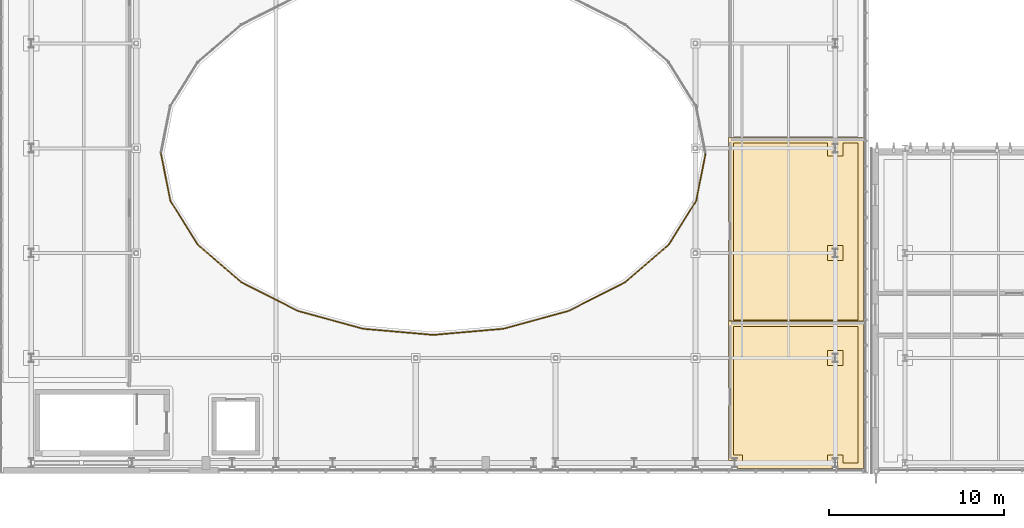
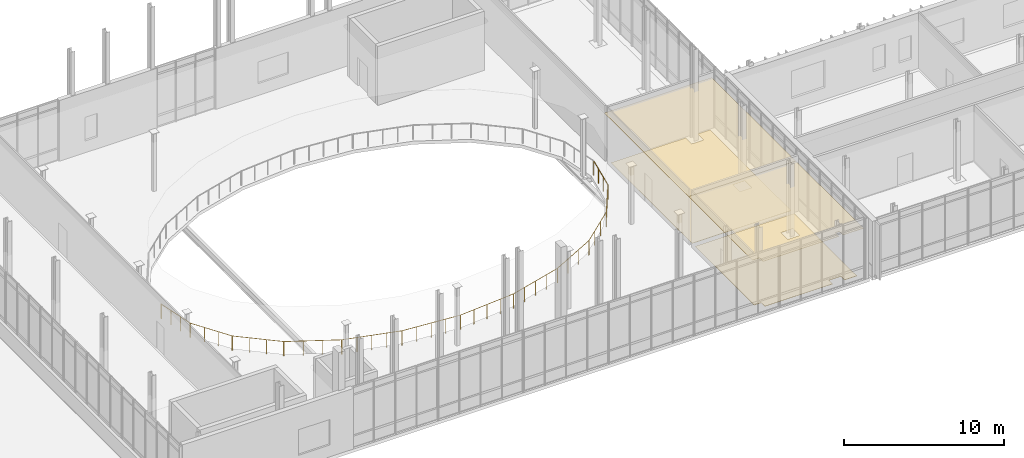
# One storey, part 76 of 86: 4 coverings, 1 railing.
"""IFC4 building model written with IfcOpenShell, lengths in metres."""

from ifc_helpers import new_model, si_unit, direction, frame, origin, origin_2d, place, context, subcontext, project, spatial, polyline, circle, outline, extrude, material, layer, layer_set, type_object, element, save


model = new_model("IFC4")

# Units and contexts
model_context = context("Model", 3, precision=1e-05, world=origin(), true_north=direction((0.0, 1.0)))
body_context = subcontext(model_context, "Body", "Model", "MODEL_VIEW")
ifc_project = project(units=[si_unit("LENGTHUNIT", "METRE"), si_unit("AREAUNIT", "SQUARE_METRE"), si_unit("VOLUMEUNIT", "CUBIC_METRE"), si_unit("PLANEANGLEUNIT", "RADIAN"), si_unit("MASSUNIT", "GRAM", prefix="KILO")], contexts=[model_context])

# Site, building, storey
site_placement = place(None, origin())
site = spatial("IfcSite", under=ifc_project, at=site_placement, CompositionType="ELEMENT")
building_placement = place(site_placement, origin())
building = spatial("IfcBuilding", under=site, at=building_placement, Name="Cymarion Research Institute", CompositionType="ELEMENT")
storey_placement = place(building_placement, frame((0.0, 0.0, 13.800048828125)))
storey = spatial("IfcBuildingStorey", under=building, at=storey_placement, Name="L03", CompositionType="ELEMENT", Elevation=13.800048828125)

# Coverings
ifc_material_1 = material(Name="Micro-perforated mineral acoustic ceiling tile", Category="gypsum")
ifc_layer_1 = layer(ifc_material_1, 0.030029296875)
ifc_layer_set_1 = layer_set([ifc_layer_1], Name="Micro-perforated mineral acoustic ceiling tile")
covering_type_1 = type_object("IfcCoveringType", Name="ACOUSTIC MICRO-PERFORATED SUSPENDED CEILING CLG-01", PredefinedType="CEILING", material=ifc_layer_set_1)
covering_1_placement = place(storey_placement, frame((0.0, 0.0, 3.699951171875)))
element("IfcCovering", 1, at=covering_1_placement, inside=storey, type_object=covering_type_1, Name="L03 L03 Accessible WC and Public Washrooms acoustic ceiling", PredefinedType="CEILING", context=body_context, shape_type="SweptSolid", body=[
    extrude(outline(polyline([(104.215087890625, 13.614990234375), (104.215087890625, 5.18505859375), (102.735107421875, 5.18505859375), (102.735107421875, 5.635009765625), (102.465087890625, 5.635009765625), (102.465087890625, 5.18505859375), (96.985107421875, 5.18505859375), (96.985107421875, 5.635009765625), (96.485107421875, 5.635009765625), (96.485107421875, 13.614990234375), (104.215087890625, 13.614990234375)])), origin(), (0.0, 0.0, 1.0), 0.030029296875),
])
covering_2_placement = place(storey_placement, frame((0.0, 0.0, 3.699951171875)))
element("IfcCovering", 2, at=covering_2_placement, inside=storey, type_object=covering_type_1, Name="L03 L03 Colloquium Breakout & Poster Room acoustic ceiling", PredefinedType="CEILING", context=body_context, shape_type="SweptSolid", body=[
    extrude(outline(polyline([(104.215087890625, 24.114990234375), (104.215087890625, 13.385009765625), (96.485107421875, 13.385009765625), (96.485107421875, 24.114990234375), (104.215087890625, 24.114990234375)])), origin(), (0.0, 0.0, 1.0), 0.030029296875),
])

# Railing
ifc_material_2 = material(Name="Steel S355", Category="steel")
railing_type = type_object("IfcRailingType", Name="LAMINATED GLASS AND STEEL BALUSTRADE BAL1 1120MM", PredefinedType="BALUSTRADE", material=ifc_material_2)
railing_placement = place(storey_placement, frame((95.176513671875, 23.164794921875, 0.0)))
element("IfcRailing", 3, at=railing_placement, inside=storey, type_object=railing_type, Name="L03 V2 Interaction Atrium curved gallery balustrade 1", PredefinedType="BALUSTRADE", context=body_context, shape_type="SweptSolid", body=[
    extrude(circle(Radius=0.02392578125, at=origin_2d()), frame((0.0, 0.0, 1.09619140625), z_axis=(-0.194929820286, -0.980817192531, 0.0), x_axis=(0.980817192531, -0.194929820286, 0.0)), (0.0, 0.0, 1.0), 2.69140625),
    extrude(circle(Radius=0.02392578125, at=origin_2d()), frame((-0.524658203125, -2.639892578125, 1.09619140625), z_axis=(-0.239019047122, -0.971014878935, 0.0), x_axis=(0.971014878935, -0.239019047122, 0.0)), (0.0, 0.0, 1.0), 0.016357421875),
    extrude(circle(Radius=0.02392578125, at=origin_2d()), frame((-0.528564453125, -2.65576171875, 1.09619140625), z_axis=(-0.329682832837, -0.944091748578, 0.0), x_axis=(0.944091748578, -0.329682832837, 0.0)), (0.0, 0.0, 1.0), 0.016357421875),
    extrude(circle(Radius=0.02392578125, at=origin_2d()), frame((-0.533935546875, -2.671142578125, 1.09619140625), z_axis=(-0.404747112058, -0.914428660575, 0.0), x_axis=(0.914428660575, -0.404747112058, 0.0)), (0.0, 0.0, 1.0), 0.016357421875),
    extrude(circle(Radius=0.02392578125, at=origin_2d()), frame((-0.54052734375, -2.68603515625, 1.09619140625), z_axis=(-0.494524249255, -0.869163832024, 0.0), x_axis=(0.869163832024, -0.494524249255, 0.0)), (0.0, 0.0, 1.0), 0.016357421875),
    extrude(circle(Radius=0.02392578125, at=origin_2d()), frame((-0.548583984375, -2.7001953125, 1.09619140625), z_axis=(-0.530271196681, -0.847828082792, 0.0), x_axis=(0.847828082792, -0.530271196681, 0.0)), (0.0, 0.0, 1.0), 2.9013671875),
    extrude(circle(Radius=0.02392578125, at=origin_2d()), frame((-2.087158203125, -5.16015625, 1.09619140625), z_axis=(-0.567101732998, -0.823647755069, 0.0), x_axis=(0.823647755069, -0.567101732998, 0.0)), (0.0, 0.0, 1.0), 0.01806640625),
    extrude(circle(Radius=0.02392578125, at=origin_2d()), frame((-2.097412109375, -5.175048828125, 1.09619140625), z_axis=(-0.657534246575, -0.753424657534, 0.0), x_axis=(0.753424657534, -0.657534246575, 0.0)), (0.0, 0.0, 1.0), 0.017822265625),
    extrude(circle(Radius=0.02392578125, at=origin_2d()), frame((-2.109130859375, -5.1884765625, 1.09619140625), z_axis=(-0.713808759938, -0.700340670128, 0.0), x_axis=(0.700340670128, -0.713808759938, 0.0)), (0.0, 0.0, 1.0), 0.01806640625),
    extrude(circle(Radius=0.02392578125, at=origin_2d()), frame((-2.1220703125, -5.201171875, 1.09619140625), z_axis=(-0.757045400279, -0.653362274635, 0.0), x_axis=(0.653362274635, -0.757045400279, 0.0)), (0.0, 0.0, 1.0), 3.23291015625),
    extrude(circle(Radius=0.02392578125, at=origin_2d()), frame((-4.569580078125, -7.3134765625, 1.09619140625), z_axis=(-0.790549812284, -0.61239774191, 0.0), x_axis=(0.61239774191, -0.790549812284, 0.0)), (0.0, 0.0, 1.0), 0.02197265625),
    extrude(circle(Radius=0.02392578125, at=origin_2d()), frame((-4.5869140625, -7.326904296875, 1.09619140625), z_axis=(-0.860475389039, -0.509492006668, 0.0), x_axis=(0.509492006668, -0.860475389039, 0.0)), (0.0, 0.0, 1.0), 0.021484375),
    extrude(circle(Radius=0.02392578125, at=origin_2d()), frame((-4.60546875, -7.337890625, 1.09619140625), z_axis=(-0.891487444131, -0.453045402755, 0.0), x_axis=(0.453045402755, -0.891487444131, 0.0)), (0.0, 0.0, 1.0), 3.57763671875),
    extrude(circle(Radius=0.02392578125, at=origin_2d()), frame((-7.794921875, -8.958740234375, 1.09619140625), z_axis=(-0.90990766598, -0.414810847726, 0.0), x_axis=(0.414810847726, -0.90990766598, 0.0)), (0.0, 0.0, 1.0), 0.018310546875),
    extrude(circle(Radius=0.02392578125, at=origin_2d()), frame((-7.8115234375, -8.96630859375, 1.09619140625), z_axis=(-0.951329033501, -0.308177010852, 0.0), x_axis=(0.308177010852, -0.951329033501, 0.0)), (0.0, 0.0, 1.0), 0.018310546875),
    extrude(circle(Radius=0.02392578125, at=origin_2d()), frame((-7.828857421875, -8.971923828125, 1.09619140625), z_axis=(-0.964381016388, -0.264517022571, 0.0), x_axis=(0.264517022571, -0.964381016388, 0.0)), (0.0, 0.0, 1.0), 3.8515625),
    extrude(circle(Radius=0.02392578125, at=origin_2d()), frame((-11.543212890625, -9.99072265625, 1.09619140625), z_axis=(-0.973616310568, -0.228191322789, 0.0), x_axis=(0.228191322789, -0.973616310568, 0.0)), (0.0, 0.0, 1.0), 0.01611328125),
    extrude(circle(Radius=0.02392578125, at=origin_2d()), frame((-11.558837890625, -9.994384765625, 1.09619140625), z_axis=(-0.991098234869, -0.133132598714, 0.0), x_axis=(0.133132598714, -0.991098234869, 0.0)), (0.0, 0.0, 1.0), 0.0166015625),
    extrude(circle(Radius=0.02392578125, at=origin_2d()), frame((-11.5751953125, -9.99658203125, 1.09619140625), z_axis=(-0.996222936835, -0.086832367948, 0.0), x_axis=(0.086832367948, -0.996222936835, 0.0)), (0.0, 0.0, 1.0), 4.0009765625),
    extrude(circle(Radius=0.02392578125, at=origin_2d()), frame((-15.56103515625, -10.343994140625, 1.09619140625), z_axis=(-0.998868137724, -0.047565149415, 0.0), x_axis=(0.047565149415, -0.998868137724, 0.0)), (0.0, 0.0, 1.0), 0.015380859375),
    extrude(circle(Radius=0.02392578125, at=origin_2d()), frame((-15.576416015625, -10.3447265625, 1.09619140625), z_axis=(-0.99890317437, 0.046823586299, 0.0), x_axis=(-0.046823586299, -0.99890317437, 0.0)), (0.0, 0.0, 1.0), 0.015625),
    extrude(circle(Radius=0.02392578125, at=origin_2d()), frame((-15.592041015625, -10.343994140625, 1.09619140625), z_axis=(-0.996222936835, 0.086832367948, 0.0), x_axis=(-0.086832367948, -0.996222936835, 0.0)), (0.0, 0.0, 1.0), 4.0009765625),
    extrude(circle(Radius=0.02392578125, at=origin_2d()), frame((-19.577880859375, -9.99658203125, 1.09619140625), z_axis=(-0.990830168044, 0.135113204733, 0.0), x_axis=(-0.135113204733, -0.990830168044, 0.0)), (0.0, 0.0, 1.0), 0.016357421875),
    extrude(circle(Radius=0.02392578125, at=origin_2d()), frame((-19.593994140625, -9.994384765625, 1.09619140625), z_axis=(-0.974391195695, 0.224859506699, 0.0), x_axis=(-0.224859506699, -0.974391195695, 0.0)), (0.0, 0.0, 1.0), 0.016357421875),
    extrude(circle(Radius=0.02392578125, at=origin_2d()), frame((-19.60986328125, -9.99072265625, 1.09619140625), z_axis=(-0.964381016388, 0.264517022571, 0.0), x_axis=(-0.264517022571, -0.964381016388, 0.0)), (0.0, 0.0, 1.0), 3.8515625),
    extrude(circle(Radius=0.02392578125, at=origin_2d()), frame((-23.32421875, -8.971923828125, 1.09619140625), z_axis=(-0.95003174904, 0.31215328897, 0.0), x_axis=(-0.31215328897, -0.95003174904, 0.0)), (0.0, 0.0, 1.0), 0.01806640625),
    extrude(circle(Radius=0.02392578125, at=origin_2d()), frame((-23.34130859375, -8.96630859375, 1.09619140625), z_axis=(-0.912168696111, 0.409814921441, 0.0), x_axis=(-0.409814921441, -0.912168696111, 0.0)), (0.0, 0.0, 1.0), 0.0185546875),
    extrude(circle(Radius=0.02392578125, at=origin_2d()), frame((-23.358154296875, -8.958740234375, 1.09619140625), z_axis=(-0.891487444131, 0.453045402755, 0.0), x_axis=(-0.453045402755, -0.891487444131, 0.0)), (0.0, 0.0, 1.0), 3.57763671875),
    extrude(circle(Radius=0.02392578125, at=origin_2d()), frame((-26.547607421875, -7.337890625, 1.09619140625), z_axis=(-0.860475389039, 0.509492006668, 0.0), x_axis=(-0.509492006668, -0.860475389039, 0.0)), (0.0, 0.0, 1.0), 0.021484375),
    extrude(circle(Radius=0.02392578125, at=origin_2d()), frame((-26.566162109375, -7.326904296875, 1.09619140625), z_axis=(-0.790549812284, 0.61239774191, 0.0), x_axis=(-0.61239774191, -0.790549812284, 0.0)), (0.0, 0.0, 1.0), 0.02197265625),
    extrude(circle(Radius=0.02392578125, at=origin_2d()), frame((-26.58349609375, -7.3134765625, 1.09619140625), z_axis=(-0.757045400279, 0.653362274635, 0.0), x_axis=(-0.653362274635, -0.757045400279, 0.0)), (0.0, 0.0, 1.0), 3.23291015625),
    extrude(circle(Radius=0.02392578125, at=origin_2d()), frame((-29.031005859375, -5.201171875, 1.09619140625), z_axis=(-0.713808759938, 0.700340670128, 0.0), x_axis=(-0.700340670128, -0.713808759938, 0.0)), (0.0, 0.0, 1.0), 0.01806640625),
    extrude(circle(Radius=0.02392578125, at=origin_2d()), frame((-29.0439453125, -5.1884765625, 1.09619140625), z_axis=(-0.657534246575, 0.753424657534, 0.0), x_axis=(-0.753424657534, -0.657534246575, 0.0)), (0.0, 0.0, 1.0), 0.017822265625),
    extrude(circle(Radius=0.02392578125, at=origin_2d()), frame((-29.0556640625, -5.175048828125, 1.09619140625), z_axis=(-0.567101732998, 0.823647755069, 0.0), x_axis=(-0.823647755069, -0.567101732998, 0.0)), (0.0, 0.0, 1.0), 0.01806640625),
    extrude(circle(Radius=0.02392578125, at=origin_2d()), frame((-29.06591796875, -5.16015625, 1.09619140625), z_axis=(-0.530271196681, 0.847828082792, 0.0), x_axis=(-0.847828082792, -0.530271196681, 0.0)), (0.0, 0.0, 1.0), 2.9013671875),
    extrude(circle(Radius=0.02392578125, at=origin_2d()), frame((-30.6044921875, -2.7001953125, 1.09619140625), z_axis=(-0.483077342911, 0.875577684027, 0.0), x_axis=(-0.875577684027, -0.483077342911, 0.0)), (0.0, 0.0, 1.0), 0.01611328125),
    extrude(circle(Radius=0.02392578125, at=origin_2d()), frame((-30.6123046875, -2.68603515625, 1.09619140625), z_axis=(-0.417167660331, 0.90882954572, 0.0), x_axis=(-0.90882954572, -0.417167660331, 0.0)), (0.0, 0.0, 1.0), 0.016357421875),
    extrude(circle(Radius=0.02392578125, at=origin_2d()), frame((-30.619140625, -2.671142578125, 1.09619140625), z_axis=(-0.329682832837, 0.944091748578, 0.0), x_axis=(-0.944091748578, -0.329682832837, 0.0)), (0.0, 0.0, 1.0), 0.016357421875),
    extrude(circle(Radius=0.02392578125, at=origin_2d()), frame((-30.62451171875, -2.65576171875, 1.09619140625), z_axis=(-0.239019047122, 0.971014878935, 0.0), x_axis=(-0.971014878935, -0.239019047122, 0.0)), (0.0, 0.0, 1.0), 0.016357421875),
    extrude(circle(Radius=0.02392578125, at=origin_2d()), frame((-30.62841796875, -2.639892578125, 1.09619140625), z_axis=(-0.194929820286, 0.980817192531, 0.0), x_axis=(-0.980817192531, -0.194929820286, 0.0)), (0.0, 0.0, 1.0), 2.69140625),
    extrude(circle(Radius=0.02392578125, at=origin_2d()), frame((-31.153076171875, 0.0, 1.09619140625), z_axis=(-0.137568371275, 0.990492273178, 0.0), x_axis=(-0.990492273178, -0.137568371275, 0.0)), (0.0, 0.0, 1.0), 0.017822265625),
    extrude(circle(Radius=0.02392578125, at=origin_2d()), frame((-31.155517578125, 0.017578125, 1.09619140625), z_axis=(-0.055470019623, 0.998460353205, 0.0), x_axis=(-0.998460353205, -0.055470019623, 0.0)), (0.0, 0.0, 1.0), 0.017578125),
    extrude(circle(Radius=0.02392578125, at=origin_2d()), frame((-31.156494140625, 0.03515625, 1.09619140625), z_axis=(0.055470019623, 0.998460353205, 0.0), x_axis=(-0.998460353205, 0.055470019623, 0.0)), (0.0, 0.0, 1.0), 0.017578125),
    extrude(circle(Radius=0.02392578125, at=origin_2d()), frame((-31.155517578125, 0.052734375, 1.09619140625), z_axis=(0.137568371275, 0.990492273178, 0.0), x_axis=(-0.990492273178, 0.137568371275, 0.0)), (0.0, 0.0, 1.0), 0.017822265625),
    extrude(circle(Radius=0.02099609375, at=origin_2d()), origin(), (0.0, 0.0, 1.0), 1.072021484375),
    extrude(circle(Radius=0.02099609375, at=origin_2d()), frame((-0.1748046875, -0.8798828125, 0.0)), (0.0, 0.0, 1.0), 1.072021484375),
    extrude(circle(Radius=0.02099609375, at=origin_2d()), frame((-0.349853515625, -1.760009765625, 0.0)), (0.0, 0.0, 1.0), 1.072021484375),
    extrude(circle(Radius=0.02099609375, at=origin_2d()), frame((-0.524658203125, -2.639892578125, 0.0)), (0.0, 0.0, 1.0), 1.072021484375),
    extrude(circle(Radius=0.02099609375, at=origin_2d()), frame((-0.528564453125, -2.65576171875, 0.0)), (0.0, 0.0, 1.0), 1.072021484375),
    extrude(circle(Radius=0.02099609375, at=origin_2d()), frame((-0.533935546875, -2.671142578125, 0.0)), (0.0, 0.0, 1.0), 1.072021484375),
    extrude(circle(Radius=0.02099609375, at=origin_2d()), frame((-0.54052734375, -2.68603515625, 0.0)), (0.0, 0.0, 1.0), 1.072021484375),
    extrude(circle(Radius=0.02099609375, at=origin_2d()), frame((-0.548583984375, -2.7001953125, 0.0)), (0.0, 0.0, 1.0), 1.072021484375),
    extrude(circle(Radius=0.02099609375, at=origin_2d()), frame((-1.0615234375, -3.520263671875, 0.0)), (0.0, 0.0, 1.0), 1.072021484375),
    extrude(circle(Radius=0.02099609375, at=origin_2d()), frame((-1.57421875, -4.340087890625, 0.0)), (0.0, 0.0, 1.0), 1.072021484375),
    extrude(circle(Radius=0.02099609375, at=origin_2d()), frame((-2.087158203125, -5.16015625, 0.0)), (0.0, 0.0, 1.0), 1.072021484375),
    extrude(circle(Radius=0.02099609375, at=origin_2d()), frame((-2.097412109375, -5.175048828125, 0.0)), (0.0, 0.0, 1.0), 1.072021484375),
    extrude(circle(Radius=0.02099609375, at=origin_2d()), frame((-2.109130859375, -5.1884765625, 0.0)), (0.0, 0.0, 1.0), 1.072021484375),
    extrude(circle(Radius=0.02099609375, at=origin_2d()), frame((-2.1220703125, -5.201171875, 0.0)), (0.0, 0.0, 1.0), 1.072021484375),
    extrude(circle(Radius=0.02099609375, at=origin_2d()), frame((-2.93798828125, -5.9052734375, 0.0)), (0.0, 0.0, 1.0), 1.072021484375),
    extrude(circle(Radius=0.02099609375, at=origin_2d()), frame((-3.753662109375, -6.609375, 0.0)), (0.0, 0.0, 1.0), 1.072021484375),
    extrude(circle(Radius=0.02099609375, at=origin_2d()), frame((-4.569580078125, -7.3134765625, 0.0)), (0.0, 0.0, 1.0), 1.072021484375),
    extrude(circle(Radius=0.02099609375, at=origin_2d()), frame((-4.5869140625, -7.326904296875, 0.0)), (0.0, 0.0, 1.0), 1.072021484375),
    extrude(circle(Radius=0.02099609375, at=origin_2d()), frame((-4.60546875, -7.337890625, 0.0)), (0.0, 0.0, 1.0), 1.072021484375),
    extrude(circle(Radius=0.02099609375, at=origin_2d()), frame((-5.668701171875, -7.878173828125, 0.0)), (0.0, 0.0, 1.0), 1.072021484375),
    extrude(circle(Radius=0.02099609375, at=origin_2d()), frame((-6.731689453125, -8.41845703125, 0.0)), (0.0, 0.0, 1.0), 1.072021484375),
    extrude(circle(Radius=0.02099609375, at=origin_2d()), frame((-7.794921875, -8.958740234375, 0.0)), (0.0, 0.0, 1.0), 1.072021484375),
    extrude(circle(Radius=0.02099609375, at=origin_2d()), frame((-7.8115234375, -8.96630859375, 0.0)), (0.0, 0.0, 1.0), 1.072021484375),
    extrude(circle(Radius=0.02099609375, at=origin_2d()), frame((-7.828857421875, -8.971923828125, 0.0)), (0.0, 0.0, 1.0), 1.072021484375),
    extrude(circle(Radius=0.02099609375, at=origin_2d()), frame((-8.75732421875, -9.2265625, 0.0)), (0.0, 0.0, 1.0), 1.072021484375),
    extrude(circle(Radius=0.02099609375, at=origin_2d()), frame((-9.68603515625, -9.4814453125, 0.0)), (0.0, 0.0, 1.0), 1.072021484375),
    extrude(circle(Radius=0.02099609375, at=origin_2d()), frame((-10.61474609375, -9.736083984375, 0.0)), (0.0, 0.0, 1.0), 1.072021484375),
    extrude(circle(Radius=0.02099609375, at=origin_2d()), frame((-11.543212890625, -9.99072265625, 0.0)), (0.0, 0.0, 1.0), 1.072021484375),
    extrude(circle(Radius=0.02099609375, at=origin_2d()), frame((-11.558837890625, -9.994384765625, 0.0)), (0.0, 0.0, 1.0), 1.072021484375),
    extrude(circle(Radius=0.02099609375, at=origin_2d()), frame((-11.5751953125, -9.99658203125, 0.0)), (0.0, 0.0, 1.0), 1.072021484375),
    extrude(circle(Radius=0.02099609375, at=origin_2d()), frame((-12.57177734375, -10.08349609375, 0.0)), (0.0, 0.0, 1.0), 1.072021484375),
    extrude(circle(Radius=0.02099609375, at=origin_2d()), frame((-13.568115234375, -10.17041015625, 0.0)), (0.0, 0.0, 1.0), 1.072021484375),
    extrude(circle(Radius=0.02099609375, at=origin_2d()), frame((-14.564453125, -10.257080078125, 0.0)), (0.0, 0.0, 1.0), 1.072021484375),
    extrude(circle(Radius=0.02099609375, at=origin_2d()), frame((-15.56103515625, -10.343994140625, 0.0)), (0.0, 0.0, 1.0), 1.072021484375),
    extrude(circle(Radius=0.02099609375, at=origin_2d()), frame((-15.576416015625, -10.3447265625, 0.0)), (0.0, 0.0, 1.0), 1.072021484375),
    extrude(circle(Radius=0.02099609375, at=origin_2d()), frame((-15.592041015625, -10.343994140625, 0.0)), (0.0, 0.0, 1.0), 1.072021484375),
    extrude(circle(Radius=0.02099609375, at=origin_2d()), frame((-16.58837890625, -10.257080078125, 0.0)), (0.0, 0.0, 1.0), 1.072021484375),
    extrude(circle(Radius=0.02099609375, at=origin_2d()), frame((-17.5849609375, -10.17041015625, 0.0)), (0.0, 0.0, 1.0), 1.072021484375),
    extrude(circle(Radius=0.02099609375, at=origin_2d()), frame((-18.58154296875, -10.08349609375, 0.0)), (0.0, 0.0, 1.0), 1.072021484375),
    extrude(circle(Radius=0.02099609375, at=origin_2d()), frame((-19.577880859375, -9.99658203125, 0.0)), (0.0, 0.0, 1.0), 1.072021484375),
    extrude(circle(Radius=0.02099609375, at=origin_2d()), frame((-19.593994140625, -9.994384765625, 0.0)), (0.0, 0.0, 1.0), 1.072021484375),
    extrude(circle(Radius=0.02099609375, at=origin_2d()), frame((-19.60986328125, -9.99072265625, 0.0)), (0.0, 0.0, 1.0), 1.072021484375),
    extrude(circle(Radius=0.02099609375, at=origin_2d()), frame((-20.53857421875, -9.736083984375, 0.0)), (0.0, 0.0, 1.0), 1.072021484375),
    extrude(circle(Radius=0.02099609375, at=origin_2d()), frame((-21.467041015625, -9.4814453125, 0.0)), (0.0, 0.0, 1.0), 1.072021484375),
    extrude(circle(Radius=0.02099609375, at=origin_2d()), frame((-22.3955078125, -9.2265625, 0.0)), (0.0, 0.0, 1.0), 1.072021484375),
    extrude(circle(Radius=0.02099609375, at=origin_2d()), frame((-23.32421875, -8.971923828125, 0.0)), (0.0, 0.0, 1.0), 1.072021484375),
    extrude(circle(Radius=0.02099609375, at=origin_2d()), frame((-23.34130859375, -8.96630859375, 0.0)), (0.0, 0.0, 1.0), 1.072021484375),
    extrude(circle(Radius=0.02099609375, at=origin_2d()), frame((-23.358154296875, -8.958740234375, 0.0)), (0.0, 0.0, 1.0), 1.072021484375),
    extrude(circle(Radius=0.02099609375, at=origin_2d()), frame((-24.42138671875, -8.41845703125, 0.0)), (0.0, 0.0, 1.0), 1.072021484375),
    extrude(circle(Radius=0.02099609375, at=origin_2d()), frame((-25.484375, -7.878173828125, 0.0)), (0.0, 0.0, 1.0), 1.072021484375),
    extrude(circle(Radius=0.02099609375, at=origin_2d()), frame((-26.547607421875, -7.337890625, 0.0)), (0.0, 0.0, 1.0), 1.072021484375),
    extrude(circle(Radius=0.02099609375, at=origin_2d()), frame((-26.566162109375, -7.326904296875, 0.0)), (0.0, 0.0, 1.0), 1.072021484375),
    extrude(circle(Radius=0.02099609375, at=origin_2d()), frame((-26.58349609375, -7.3134765625, 0.0)), (0.0, 0.0, 1.0), 1.072021484375),
    extrude(circle(Radius=0.02099609375, at=origin_2d()), frame((-27.3994140625, -6.609375, 0.0)), (0.0, 0.0, 1.0), 1.072021484375),
    extrude(circle(Radius=0.02099609375, at=origin_2d()), frame((-28.215087890625, -5.9052734375, 0.0)), (0.0, 0.0, 1.0), 1.072021484375),
    extrude(circle(Radius=0.02099609375, at=origin_2d()), frame((-29.031005859375, -5.201171875, 0.0)), (0.0, 0.0, 1.0), 1.072021484375),
    extrude(circle(Radius=0.02099609375, at=origin_2d()), frame((-29.0439453125, -5.1884765625, 0.0)), (0.0, 0.0, 1.0), 1.072021484375),
    extrude(circle(Radius=0.02099609375, at=origin_2d()), frame((-29.0556640625, -5.175048828125, 0.0)), (0.0, 0.0, 1.0), 1.072021484375),
    extrude(circle(Radius=0.02099609375, at=origin_2d()), frame((-29.06591796875, -5.16015625, 0.0)), (0.0, 0.0, 1.0), 1.072021484375),
    extrude(circle(Radius=0.02099609375, at=origin_2d()), frame((-29.578857421875, -4.340087890625, 0.0)), (0.0, 0.0, 1.0), 1.072021484375),
    extrude(circle(Radius=0.02099609375, at=origin_2d()), frame((-30.091552734375, -3.520263671875, 0.0)), (0.0, 0.0, 1.0), 1.072021484375),
    extrude(circle(Radius=0.02099609375, at=origin_2d()), frame((-30.6044921875, -2.7001953125, 0.0)), (0.0, 0.0, 1.0), 1.072021484375),
    extrude(circle(Radius=0.02099609375, at=origin_2d()), frame((-30.6123046875, -2.68603515625, 0.0)), (0.0, 0.0, 1.0), 1.072021484375),
    extrude(circle(Radius=0.02099609375, at=origin_2d()), frame((-30.619140625, -2.671142578125, 0.0)), (0.0, 0.0, 1.0), 1.072021484375),
    extrude(circle(Radius=0.02099609375, at=origin_2d()), frame((-30.62451171875, -2.65576171875, 0.0)), (0.0, 0.0, 1.0), 1.072021484375),
    extrude(circle(Radius=0.02099609375, at=origin_2d()), frame((-30.62841796875, -2.639892578125, 0.0)), (0.0, 0.0, 1.0), 1.072021484375),
    extrude(circle(Radius=0.02099609375, at=origin_2d()), frame((-30.80322265625, -1.760009765625, 0.0)), (0.0, 0.0, 1.0), 1.072021484375),
    extrude(circle(Radius=0.02099609375, at=origin_2d()), frame((-30.978271484375, -0.8798828125, 0.0)), (0.0, 0.0, 1.0), 1.072021484375),
    extrude(circle(Radius=0.02099609375, at=origin_2d()), frame((-31.153076171875, 0.0, 0.0)), (0.0, 0.0, 1.0), 1.072021484375),
    extrude(circle(Radius=0.02099609375, at=origin_2d()), frame((-31.155517578125, 0.017578125, 0.0)), (0.0, 0.0, 1.0), 1.072021484375),
    extrude(circle(Radius=0.02099609375, at=origin_2d()), frame((-31.156494140625, 0.03515625, 0.0)), (0.0, 0.0, 1.0), 1.072021484375),
    extrude(circle(Radius=0.02099609375, at=origin_2d()), frame((-31.155517578125, 0.052734375, 0.0)), (0.0, 0.0, 1.0), 1.072021484375),
    extrude(circle(Radius=0.02099609375, at=origin_2d()), frame((-31.153076171875, 0.0703125, 0.0)), (0.0, 0.0, 1.0), 1.072021484375),
])

# Coverings
ifc_material_3 = material(Name="Seamless dissipative epoxy resin flooring", Category="resin")
ifc_layer_2 = layer(ifc_material_3, 0.02001953125)
ifc_layer_set_2 = layer_set([ifc_layer_2], Name="Seamless dissipative epoxy resin flooring")
covering_type_2 = type_object("IfcCoveringType", Name="SEAMLESS ESD EPOXY LABORATORY FLOORING FLR-01", PredefinedType="FLOORING", material=ifc_layer_set_2)
covering_3_placement = place(storey_placement, origin())
element("IfcCovering", 4, at=covering_3_placement, inside=storey, type_object=covering_type_2, Name="L03 L03 Accessible WC and Public Washrooms ESD epoxy flooring", PredefinedType="FLOORING", context=body_context, shape_type="SweptSolid", body=[
    extrude(outline(polyline([(96.784912109375, 13.31494140625), (103.9150390625, 13.31494140625), (103.9150390625, 5.485107421875), (103.034912109375, 5.485107421875), (103.034912109375, 5.93505859375), (102.1650390625, 5.93505859375), (102.1650390625, 5.485107421875), (97.284912109375, 5.485107421875), (97.284912109375, 5.93505859375), (96.784912109375, 5.93505859375), (96.784912109375, 13.31494140625)]), holes=[polyline([(103.034912109375, 11.93505859375), (102.1650390625, 11.93505859375), (102.1650390625, 11.06494140625), (103.034912109375, 11.06494140625), (103.034912109375, 11.93505859375)])]), origin(), (0.0, 0.0, 1.0), 0.02001953125),
])
covering_4_placement = place(storey_placement, origin())
element("IfcCovering", 5, at=covering_4_placement, inside=storey, type_object=covering_type_2, Name="L03 L03 Colloquium Breakout & Poster Room ESD epoxy flooring", PredefinedType="FLOORING", context=body_context, shape_type="SweptSolid", body=[
    extrude(outline(polyline([(96.784912109375, 23.81494140625), (102.1650390625, 23.81494140625), (102.1650390625, 23.06494140625), (103.034912109375, 23.06494140625), (103.034912109375, 23.81494140625), (103.9150390625, 23.81494140625), (103.9150390625, 13.68505859375), (96.784912109375, 13.68505859375), (96.784912109375, 23.81494140625)]), holes=[polyline([(102.1650390625, 17.93505859375), (102.1650390625, 17.06494140625), (103.034912109375, 17.06494140625), (103.034912109375, 17.93505859375), (102.1650390625, 17.93505859375)])]), origin(), (0.0, 0.0, 1.0), 0.02001953125),
])

save(model, "model.ifc")
